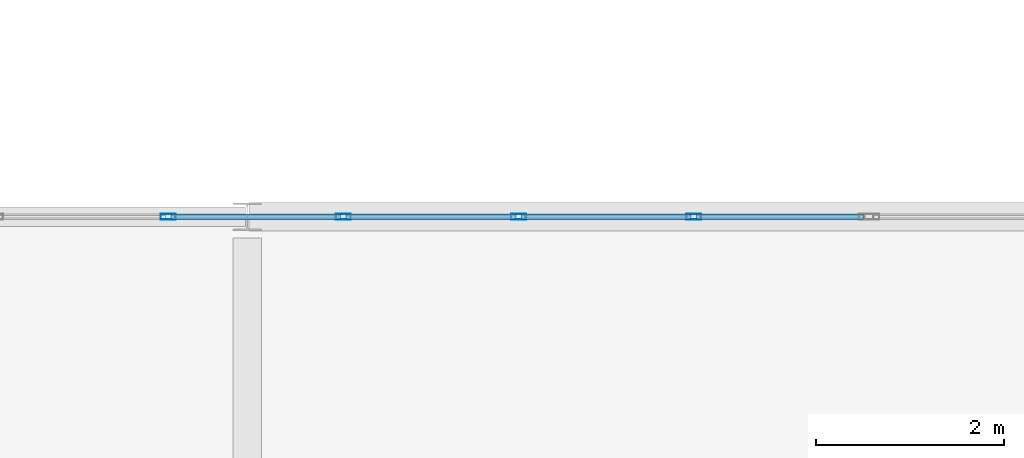
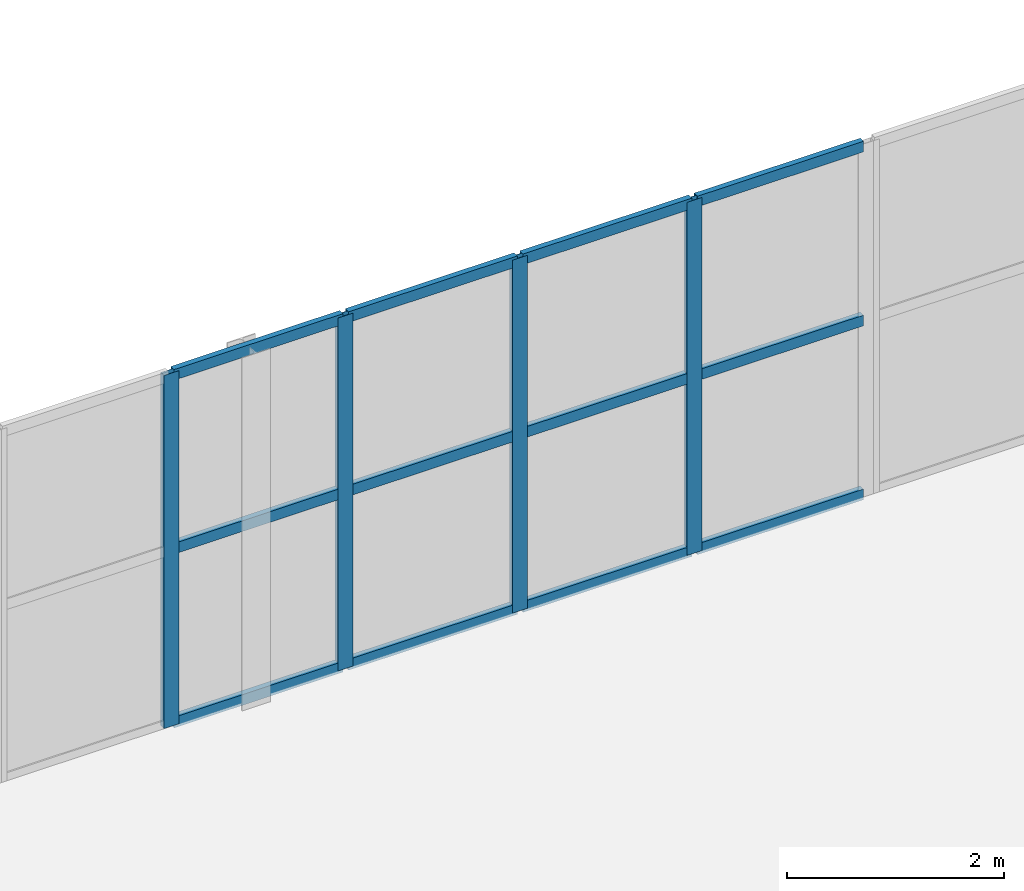
# One storey, part 58 of 138: 16 members, 1 element without a shape of its own.
"""IFC4 building model written with IfcOpenShell, lengths in metres."""

from ifc_helpers import new_model, si_unit, direction, frame, origin, origin_2d, place, context, subcontext, project, spatial, hollow_rectangle, extrude, material, layer, layer_set, material_profile, profile_set, type_object, element, aggregate, save


model = new_model("IFC4")

# Units and contexts
model_context = context("Model", 3, precision=1e-05, world=origin(), true_north=direction((0.0, 1.0)))
body_context = subcontext(model_context, "Body", "Model", "MODEL_VIEW")
ifc_project = project(units=[si_unit("LENGTHUNIT", "METRE"), si_unit("AREAUNIT", "SQUARE_METRE"), si_unit("VOLUMEUNIT", "CUBIC_METRE"), si_unit("PLANEANGLEUNIT", "RADIAN"), si_unit("MASSUNIT", "GRAM", prefix="KILO")], contexts=[model_context])

# Site, building, storey
site_placement = place(None, origin())
site = spatial("IfcSite", under=ifc_project, at=site_placement, CompositionType="ELEMENT")
building_placement = place(site_placement, origin())
building = spatial("IfcBuilding", under=site, at=building_placement, Name="Vinh Khe Railworks Police Headquarters", CompositionType="ELEMENT")
storey_placement = place(building_placement, frame((0.0, 0.0, 9.0)))
storey = spatial("IfcBuildingStorey", under=building, at=storey_placement, Name="L02", CompositionType="ELEMENT", Elevation=9.0)

# Curtain wall, members
ifc_material_1 = material(Name="Anodised aluminium and solar-control glass", Category="aluminium")
ifc_layer = layer(ifc_material_1, 0.159912109375)
ifc_layer_set = layer_set([ifc_layer], Name="Anodised aluminium and solar-control glass")
curtain_wall_type = type_object("IfcCurtainWallType", Name="CW-SHOPFRONT", PredefinedType="USERDEFINED", material=ifc_layer_set)
curtain_wall_placement = place(storey_placement, origin())
curtain_wall = element("IfcCurtainWall", 1, at=curtain_wall_placement, inside=storey, type_object=curtain_wall_type, Name="Link Bridge North Glazing L02 Bay 2", ObjectType="UNITISED GLAZING", PredefinedType="USERDEFINED")
ifc_material_2 = material(Name="Anodised aluminium 6063-T6", Category="aluminium")
ifc_material_profile_1 = material_profile(ifc_material_2, hollow_rectangle(XDim=0.06005859375, YDim=0.159912109375, WallThickness=0.00390625, at=origin_2d()), Name="CW-M 60x160x4")
ifc_profile_set_1 = profile_set([ifc_material_profile_1], Name="Anodised aluminium 6063-T6")
member_type_1 = type_object("IfcMemberType", Name="MULL-CWM-01", PredefinedType="MULLION", material=ifc_profile_set_1)
member_1_placement = place(storey_placement, frame((33.360107421875, 104.39990234375, 0.0), z_axis=(0.0, 0.0, 1.0), x_axis=(0.0, 1.0, 0.0)))
member_1 = element("IfcMember", 2, at=member_1_placement, type_object=member_type_1, Name="CW-03 mullion 2", PredefinedType="MULLION", context=body_context, shape_type="SweptSolid", body=[
    extrude(hollow_rectangle(XDim=0.06005859375, YDim=0.159912109375, WallThickness=0.00390625, at=origin_2d()), origin(), (0.0, 0.0, 1.0), 3.97998046875),
])
member_2_placement = place(storey_placement, frame((35.219970703125, 104.39990234375, 0.0), z_axis=(0.0, 0.0, 1.0), x_axis=(0.0, 1.0, 0.0)))
member_2 = element("IfcMember", 3, at=member_2_placement, type_object=member_type_1, Name="CW-03 mullion 3", PredefinedType="MULLION", context=body_context, shape_type="SweptSolid", body=[
    extrude(hollow_rectangle(XDim=0.06005859375, YDim=0.159912109375, WallThickness=0.00390625, at=origin_2d()), origin(), (0.0, 0.0, 1.0), 3.97998046875),
])
member_3_placement = place(storey_placement, frame((37.080078125, 104.39990234375, 0.0), z_axis=(0.0, 0.0, 1.0), x_axis=(0.0, 1.0, 0.0)))
member_3 = element("IfcMember", 4, at=member_3_placement, type_object=member_type_1, Name="CW-03 mullion 4", PredefinedType="MULLION", context=body_context, shape_type="SweptSolid", body=[
    extrude(hollow_rectangle(XDim=0.06005859375, YDim=0.159912109375, WallThickness=0.00390625, at=origin_2d()), origin(), (0.0, 0.0, 1.0), 3.97998046875),
])
member_4_placement = place(storey_placement, frame((38.93994140625, 104.39990234375, 0.0), z_axis=(0.0, 0.0, 1.0), x_axis=(0.0, 1.0, 0.0)))
member_4 = element("IfcMember", 5, at=member_4_placement, type_object=member_type_1, Name="CW-03 mullion 5", PredefinedType="MULLION", context=body_context, shape_type="SweptSolid", body=[
    extrude(hollow_rectangle(XDim=0.06005859375, YDim=0.159912109375, WallThickness=0.00390625, at=origin_2d()), origin(), (0.0, 0.0, 1.0), 3.97998046875),
])
ifc_material_profile_2 = material_profile(ifc_material_2, hollow_rectangle(XDim=0.06005859375, YDim=0.1201171875, WallThickness=0.00390625, at=origin_2d()), Name="CW-T 60x120x4")
ifc_profile_set_2 = profile_set([ifc_material_profile_2], Name="Anodised aluminium 6063-T6")
member_type_2 = type_object("IfcMemberType", Name="TRAN-CWT-01", PredefinedType="USERDEFINED", material=ifc_profile_set_2)
member_5_placement = place(storey_placement, frame((33.389892578125, 104.39990234375, 0.030029296875), z_axis=(1.0, 0.0, 0.0), x_axis=(0.0, 1.0, 0.0)))
member_5 = element("IfcMember", 6, at=member_5_placement, type_object=member_type_2, Name="CW-03 transom 2.1", ObjectType="TRANSOM", PredefinedType="USERDEFINED", context=body_context, shape_type="SweptSolid", body=[
    extrude(hollow_rectangle(XDim=0.06005859375, YDim=0.1201171875, WallThickness=0.00390625, at=origin_2d()), origin(), (0.0, 0.0, 1.0), 1.800048828125),
])
member_6_placement = place(storey_placement, frame((33.389892578125, 104.39990234375, 1.989990234375), z_axis=(1.0, 0.0, 0.0), x_axis=(0.0, 1.0, 0.0)))
member_6 = element("IfcMember", 7, at=member_6_placement, type_object=member_type_2, Name="CW-03 transom 2.2", ObjectType="TRANSOM", PredefinedType="USERDEFINED", context=body_context, shape_type="SweptSolid", body=[
    extrude(hollow_rectangle(XDim=0.06005859375, YDim=0.1201171875, WallThickness=0.00390625, at=origin_2d()), origin(), (0.0, 0.0, 1.0), 1.800048828125),
])
member_7_placement = place(storey_placement, frame((33.389892578125, 104.39990234375, 3.949951171875), z_axis=(1.0, 0.0, 0.0), x_axis=(0.0, 1.0, 0.0)))
member_7 = element("IfcMember", 8, at=member_7_placement, type_object=member_type_2, Name="CW-03 transom 2.3", ObjectType="TRANSOM", PredefinedType="USERDEFINED", context=body_context, shape_type="SweptSolid", body=[
    extrude(hollow_rectangle(XDim=0.06005859375, YDim=0.1201171875, WallThickness=0.00390625, at=origin_2d()), origin(), (0.0, 0.0, 1.0), 1.800048828125),
])
member_8_placement = place(storey_placement, frame((35.25, 104.39990234375, 0.030029296875), z_axis=(1.0, 0.0, 0.0), x_axis=(0.0, 1.0, 0.0)))
member_8 = element("IfcMember", 9, at=member_8_placement, type_object=member_type_2, Name="CW-03 transom 3.1", ObjectType="TRANSOM", PredefinedType="USERDEFINED", context=body_context, shape_type="SweptSolid", body=[
    extrude(hollow_rectangle(XDim=0.06005859375, YDim=0.1201171875, WallThickness=0.00390625, at=origin_2d()), origin(), (0.0, 0.0, 1.0), 1.800048828125),
])
member_9_placement = place(storey_placement, frame((35.25, 104.39990234375, 1.989990234375), z_axis=(1.0, 0.0, 0.0), x_axis=(0.0, 1.0, 0.0)))
member_9 = element("IfcMember", 10, at=member_9_placement, type_object=member_type_2, Name="CW-03 transom 3.2", ObjectType="TRANSOM", PredefinedType="USERDEFINED", context=body_context, shape_type="SweptSolid", body=[
    extrude(hollow_rectangle(XDim=0.06005859375, YDim=0.1201171875, WallThickness=0.00390625, at=origin_2d()), origin(), (0.0, 0.0, 1.0), 1.800048828125),
])
member_10_placement = place(storey_placement, frame((35.25, 104.39990234375, 3.949951171875), z_axis=(1.0, 0.0, 0.0), x_axis=(0.0, 1.0, 0.0)))
member_10 = element("IfcMember", 11, at=member_10_placement, type_object=member_type_2, Name="CW-03 transom 3.3", ObjectType="TRANSOM", PredefinedType="USERDEFINED", context=body_context, shape_type="SweptSolid", body=[
    extrude(hollow_rectangle(XDim=0.06005859375, YDim=0.1201171875, WallThickness=0.00390625, at=origin_2d()), origin(), (0.0, 0.0, 1.0), 1.800048828125),
])
member_11_placement = place(storey_placement, frame((37.110107421875, 104.39990234375, 0.030029296875), z_axis=(1.0, 0.0, 0.0), x_axis=(0.0, 1.0, 0.0)))
member_11 = element("IfcMember", 12, at=member_11_placement, type_object=member_type_2, Name="CW-03 transom 4.1", ObjectType="TRANSOM", PredefinedType="USERDEFINED", context=body_context, shape_type="SweptSolid", body=[
    extrude(hollow_rectangle(XDim=0.06005859375, YDim=0.1201171875, WallThickness=0.00390625, at=origin_2d()), origin(), (0.0, 0.0, 1.0), 1.7998046875),
])
member_12_placement = place(storey_placement, frame((37.110107421875, 104.39990234375, 1.989990234375), z_axis=(1.0, 0.0, 0.0), x_axis=(0.0, 1.0, 0.0)))
member_12 = element("IfcMember", 13, at=member_12_placement, type_object=member_type_2, Name="CW-03 transom 4.2", ObjectType="TRANSOM", PredefinedType="USERDEFINED", context=body_context, shape_type="SweptSolid", body=[
    extrude(hollow_rectangle(XDim=0.06005859375, YDim=0.1201171875, WallThickness=0.00390625, at=origin_2d()), origin(), (0.0, 0.0, 1.0), 1.7998046875),
])
member_13_placement = place(storey_placement, frame((37.110107421875, 104.39990234375, 3.949951171875), z_axis=(1.0, 0.0, 0.0), x_axis=(0.0, 1.0, 0.0)))
member_13 = element("IfcMember", 14, at=member_13_placement, type_object=member_type_2, Name="CW-03 transom 4.3", ObjectType="TRANSOM", PredefinedType="USERDEFINED", context=body_context, shape_type="SweptSolid", body=[
    extrude(hollow_rectangle(XDim=0.06005859375, YDim=0.1201171875, WallThickness=0.00390625, at=origin_2d()), origin(), (0.0, 0.0, 1.0), 1.7998046875),
])
member_14_placement = place(storey_placement, frame((38.969970703125, 104.39990234375, 0.030029296875), z_axis=(1.0, 0.0, 0.0), x_axis=(0.0, 1.0, 0.0)))
member_14 = element("IfcMember", 15, at=member_14_placement, type_object=member_type_2, Name="CW-03 transom 5.1", ObjectType="TRANSOM", PredefinedType="USERDEFINED", context=body_context, shape_type="SweptSolid", body=[
    extrude(hollow_rectangle(XDim=0.06005859375, YDim=0.1201171875, WallThickness=0.00390625, at=origin_2d()), origin(), (0.0, 0.0, 1.0), 1.77001953125),
])
member_15_placement = place(storey_placement, frame((38.969970703125, 104.39990234375, 1.989990234375), z_axis=(1.0, 0.0, 0.0), x_axis=(0.0, 1.0, 0.0)))
member_15 = element("IfcMember", 16, at=member_15_placement, type_object=member_type_2, Name="CW-03 transom 5.2", ObjectType="TRANSOM", PredefinedType="USERDEFINED", context=body_context, shape_type="SweptSolid", body=[
    extrude(hollow_rectangle(XDim=0.06005859375, YDim=0.1201171875, WallThickness=0.00390625, at=origin_2d()), origin(), (0.0, 0.0, 1.0), 1.77001953125),
])
member_16_placement = place(storey_placement, frame((38.969970703125, 104.39990234375, 3.949951171875), z_axis=(1.0, 0.0, 0.0), x_axis=(0.0, 1.0, 0.0)))
member_16 = element("IfcMember", 17, at=member_16_placement, type_object=member_type_2, Name="CW-03 transom 5.3", ObjectType="TRANSOM", PredefinedType="USERDEFINED", context=body_context, shape_type="SweptSolid", body=[
    extrude(hollow_rectangle(XDim=0.06005859375, YDim=0.1201171875, WallThickness=0.00390625, at=origin_2d()), origin(), (0.0, 0.0, 1.0), 1.77001953125),
])
aggregate(curtain_wall, [member_1, member_2, member_3, member_4, member_5, member_6, member_7, member_8, member_9, member_10, member_11, member_12, member_13, member_14, member_15, member_16])

save(model, "model.ifc")
